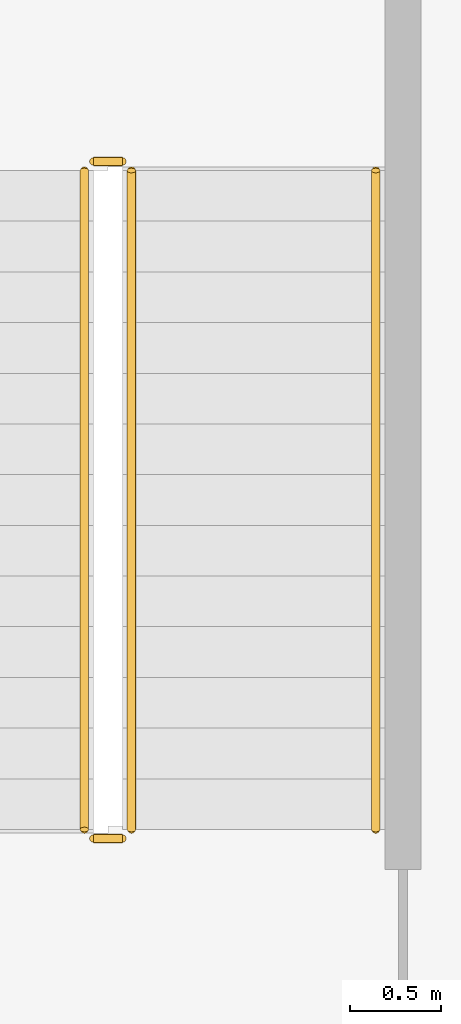
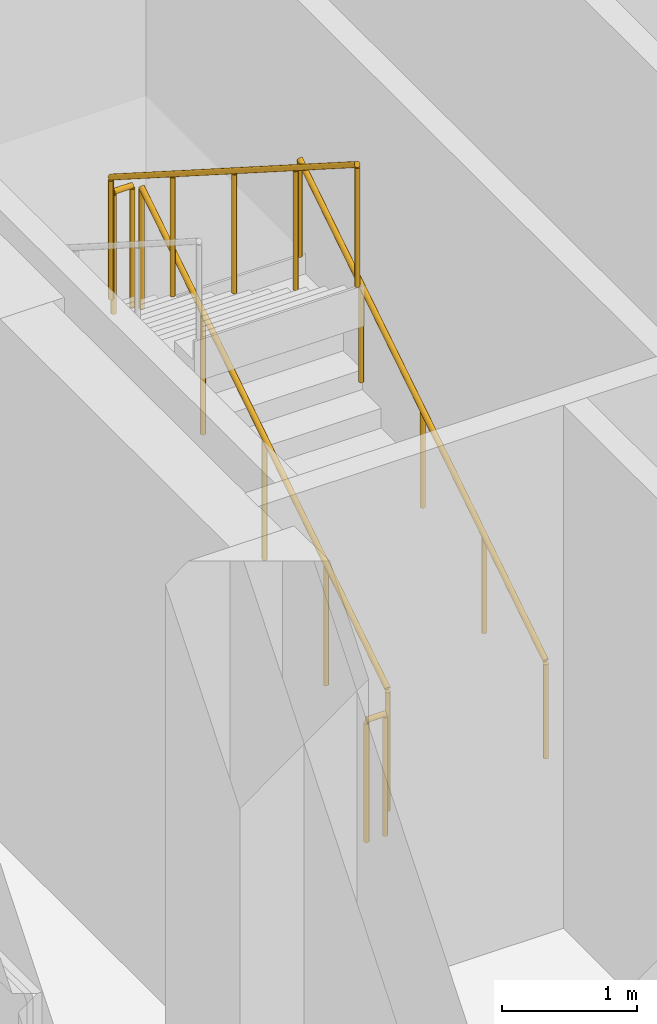
# One storey, part 10 of 12: 5 railings.
"""IFC4 building model written with IfcOpenShell, lengths in metres."""

from ifc_helpers import new_model, si_unit, direction, frame, origin, origin_2d, place, context, subcontext, project, spatial, circle, extrude, material, type_object, element, save


model = new_model("IFC4")

# Units and contexts
model_context = context("Model", 3, precision=1e-05, world=origin(), true_north=direction((0.0, 1.0)))
body_context = subcontext(model_context, "Body", "Model", "MODEL_VIEW")
ifc_project = project(units=[si_unit("LENGTHUNIT", "METRE"), si_unit("AREAUNIT", "SQUARE_METRE"), si_unit("VOLUMEUNIT", "CUBIC_METRE"), si_unit("PLANEANGLEUNIT", "RADIAN"), si_unit("MASSUNIT", "GRAM", prefix="KILO")], contexts=[model_context])

# Site, building, storey
site_placement = place(None, origin())
site = spatial("IfcSite", under=ifc_project, at=site_placement, CompositionType="ELEMENT")
building_placement = place(site_placement, origin())
building = spatial("IfcBuilding", under=site, at=building_placement, Name="Nuvemarco Arch Tower", CompositionType="ELEMENT")
storey_placement = place(building_placement, frame((0.0, 0.0, 93.300048828125)))
storey = spatial("IfcBuildingStorey", under=building, at=storey_placement, Name="L24", CompositionType="ELEMENT", Elevation=93.300048828125)

# Railings
ifc_material_1 = material(Name="Brushed stainless steel handrail", Category="steel")
railing_type_1 = type_object("IfcRailingType", Name="RL-HANDRAIL-900", PredefinedType="HANDRAIL", material=ifc_material_1)
railing_1_placement = place(storey_placement, frame((-13.590087890625, 2.64990234375, 0.178466796875)))
element("IfcRailing", 1, at=railing_1_placement, inside=storey, type_object=railing_type_1, Name="L24 ST-1 stair handrail 1", PredefinedType="HANDRAIL", context=body_context, shape_type="SweptSolid", body=[
    extrude(circle(Radius=0.02392578125, at=origin_2d()), frame((0.0, 0.0, 0.8759765625), z_axis=(0.0, 0.843127859045, 0.537713132908), x_axis=(-1.0, 0.0, 0.0)), (0.0, 0.0, 1.0), 4.3173828125),
    extrude(circle(Radius=0.02099609375, at=origin_2d()), origin(), (0.0, 0.0, 1.0), 0.851806640625),
    extrude(circle(Radius=0.02099609375, at=origin_2d()), frame((0.0, 0.91015625, 0.580322265625)), (0.0, 0.0, 1.0), 0.851806640625),
    extrude(circle(Radius=0.02099609375, at=origin_2d()), frame((0.0, 1.820068359375, 1.16064453125)), (0.0, 0.0, 1.0), 0.851806640625),
    extrude(circle(Radius=0.02099609375, at=origin_2d()), frame((0.0, 2.72998046875, 1.7412109375)), (0.0, 0.0, 1.0), 0.851806640625),
    extrude(circle(Radius=0.02099609375, at=origin_2d()), frame((0.0, 3.64013671875, 2.321533203125)), (0.0, 0.0, 1.0), 0.851806640625),
])
ifc_material_2 = material(Name="Painted balustrade steel S355", Category="steel")
railing_type_2 = type_object("IfcRailingType", Name="RL-STAIR-GUARD", PredefinedType="GUARDRAIL", material=ifc_material_2)
railing_2_placement = place(storey_placement, frame((-14.93994140625, 2.64990234375, 0.178466796875)))
element("IfcRailing", 2, at=railing_2_placement, inside=storey, type_object=railing_type_2, Name="L24 ST-1 stair guard 1", PredefinedType="GUARDRAIL", context=body_context, shape_type="SweptSolid", body=[
    extrude(circle(Radius=0.02392578125, at=origin_2d()), frame((0.0, 0.0, 1.09619140625), z_axis=(0.0, 0.843127859045, 0.537713132908), x_axis=(-1.0, 0.0, 0.0)), (0.0, 0.0, 1.0), 4.3173828125),
    extrude(circle(Radius=0.02099609375, at=origin_2d()), origin(), (0.0, 0.0, 1.0), 1.072021484375),
    extrude(circle(Radius=0.02099609375, at=origin_2d()), frame((0.0, 0.91015625, 0.580322265625)), (0.0, 0.0, 1.0), 1.072021484375),
    extrude(circle(Radius=0.02099609375, at=origin_2d()), frame((0.0, 1.820068359375, 1.16064453125)), (0.0, 0.0, 1.0), 1.072021484375),
    extrude(circle(Radius=0.02099609375, at=origin_2d()), frame((0.0, 2.72998046875, 1.7412109375)), (0.0, 0.0, 1.0), 1.072021484375),
    extrude(circle(Radius=0.02099609375, at=origin_2d()), frame((0.0, 3.64013671875, 2.321533203125)), (0.0, 0.0, 1.0), 1.072021484375),
])
railing_3_placement = place(storey_placement, frame((-14.989990234375, 6.340087890625, 2.5)))
element("IfcRailing", 3, at=railing_3_placement, inside=storey, type_object=railing_type_2, Name="L24 ST-1 stair guard 2", PredefinedType="GUARDRAIL", context=body_context, shape_type="SweptSolid", body=[
    extrude(circle(Radius=0.02392578125, at=origin_2d()), frame((0.0, 0.0, 1.09619140625), z_axis=(-1.0, 0.0, 0.0), x_axis=(0.0, -1.0, 0.0)), (0.0, 0.0, 1.0), 0.159912109375),
    extrude(circle(Radius=0.02099609375, at=origin_2d()), origin(), (0.0, 0.0, 1.0), 1.072021484375),
    extrude(circle(Radius=0.02099609375, at=origin_2d()), frame((-0.159912109375, 0.0, 0.0)), (0.0, 0.0, 1.0), 1.072021484375),
])
railing_4_placement = place(storey_placement, frame((-15.199951171875, 6.2900390625, 2.678466796875)))
element("IfcRailing", 4, at=railing_4_placement, inside=storey, type_object=railing_type_2, Name="L24 ST-1 stair guard 3", PredefinedType="GUARDRAIL", context=body_context, shape_type="SweptSolid", body=[
    extrude(circle(Radius=0.02392578125, at=origin_2d()), frame((0.0, 0.0, 1.09619140625), z_axis=(0.0, -0.843127859045, 0.537713132908), x_axis=(1.0, 0.0, 0.0)), (0.0, 0.0, 1.0), 4.3173828125),
    extrude(circle(Radius=0.02099609375, at=origin_2d()), origin(), (0.0, 0.0, 1.0), 1.072021484375),
    extrude(circle(Radius=0.02099609375, at=origin_2d()), frame((0.0, -0.91015625, 0.580322265625)), (0.0, 0.0, 1.0), 1.072021484375),
    extrude(circle(Radius=0.02099609375, at=origin_2d()), frame((0.0, -1.820068359375, 1.16064453125)), (0.0, 0.0, 1.0), 1.072021484375),
    extrude(circle(Radius=0.02099609375, at=origin_2d()), frame((0.0, -2.72998046875, 1.7412109375)), (0.0, 0.0, 1.0), 1.072021484375),
    extrude(circle(Radius=0.02099609375, at=origin_2d()), frame((0.0, -3.64013671875, 2.321533203125)), (0.0, 0.0, 1.0), 1.072021484375),
])
railing_5_placement = place(storey_placement, frame((-14.989990234375, 2.60009765625, 0.0)))
element("IfcRailing", 5, at=railing_5_placement, inside=storey, type_object=railing_type_2, Name="L24 ST-1 stair guard 4", PredefinedType="GUARDRAIL", context=body_context, shape_type="SweptSolid", body=[
    extrude(circle(Radius=0.02392578125, at=origin_2d()), frame((0.0, 0.0, 1.09619140625), z_axis=(-1.0, 0.0, 0.0), x_axis=(0.0, -1.0, 0.0)), (0.0, 0.0, 1.0), 0.159912109375),
    extrude(circle(Radius=0.02099609375, at=origin_2d()), origin(), (0.0, 0.0, 1.0), 1.072021484375),
    extrude(circle(Radius=0.02099609375, at=origin_2d()), frame((-0.159912109375, 0.0, 0.0)), (0.0, 0.0, 1.0), 1.072021484375),
])

save(model, "model.ifc")
